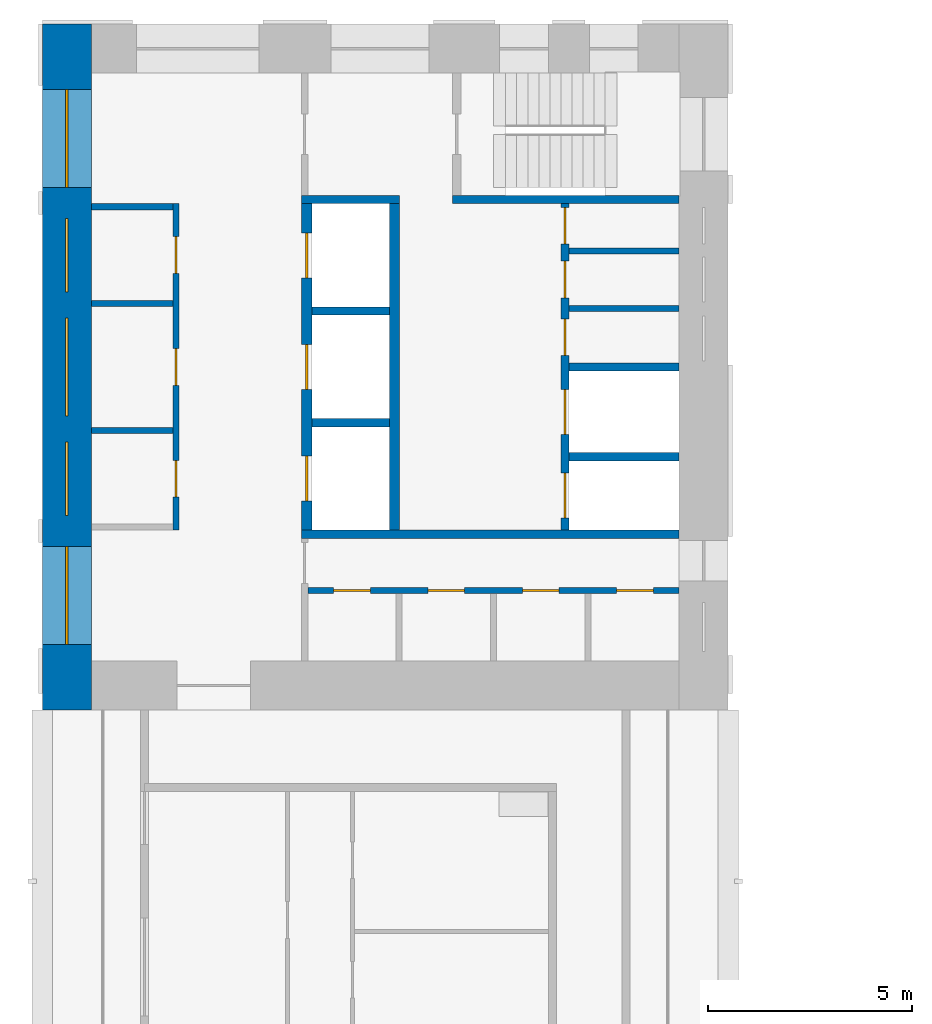
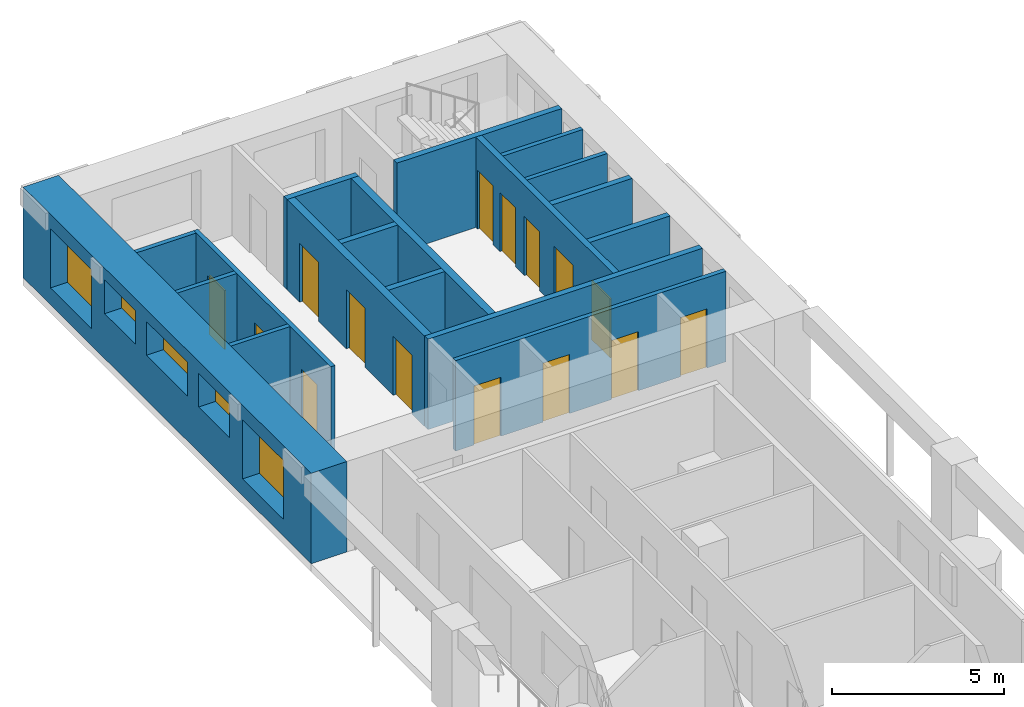
# One storey, part 6 of 13: 18 walls, 15 doors, 5 windows, 20 openings.
"""IFC4 building model written with IfcOpenShell, lengths in metres."""

import ifcopenshell
import ifcopenshell.guid

model = None  # the IFC model being written
_history = None  # IfcOwnerHistory: only IFC2X3 demands one
_inside = {}  # id of a spatial element -> (the spatial element, [elements in it])
_under = {}  # id of a project, library or spatial element -> (it, [spatial elements below it])
_declared = {}  # id of a project -> (the project, [libraries it declares])
_typed = {}  # id of a type object -> (the type object, [elements of that type])
_made_of = {}  # id of a material, layer set ... -> (it, [elements and type objects made of it])


def new_model(schema):
    """Start an empty IFC model of exactly this schema.

    Asked for "IFC4X3", IfcOpenShell would pick the latest addendum, in which some entities
    have other attributes; the version numbers below select the first issue.
    IFC2X3 requires an IfcOwnerHistory on every rooted entity: one is made here for all.
    """
    global model, _history
    if schema == "IFC4X3":
        model = ifcopenshell.file(schema_version=(4, 3, 0, 0))
    else:
        model = ifcopenshell.file(schema=schema)
    _inside.clear()
    _under.clear()
    _declared.clear()
    _typed.clear()
    _made_of.clear()
    _history = None
    if model.schema == "IFC2X3":
        org = make("IfcOrganization", Name="unknown")
        user = make(
            "IfcPersonAndOrganization",
            ThePerson=make("IfcPerson", FamilyName="unknown"),
            TheOrganization=org,
        )
        app = make(
            "IfcApplication",
            ApplicationDeveloper=org,
            Version="unknown",
            ApplicationFullName="unknown",
            ApplicationIdentifier="unknown",
        )
        _history = make(
            "IfcOwnerHistory",
            OwningUser=user,
            OwningApplication=app,
            ChangeAction="ADDED",
            CreationDate=0,
        )
    return model


def make(cls, **values):
    """One entity of the class cls with the attributes given. An attribute that is None is left unset."""
    return model.create_entity(
        cls, **{name: value for name, value in values.items() if value is not None}
    )


def rooted(cls, **values):
    """An entity with a GlobalId (a new one), such as an element, a storey or a relation."""
    return make(cls, GlobalId=ifcopenshell.guid.new(), OwnerHistory=_history, **values)


def si_unit(unit_type, name, prefix=None):
    """IfcSIUnit, for example si_unit("LENGTHUNIT", "METRE", prefix="MILLI")."""
    return make("IfcSIUnit", UnitType=unit_type, Prefix=prefix, Name=name)


def assignment(units):
    """IfcUnitAssignment: the units of a project."""
    return None if units is None else make("IfcUnitAssignment", Units=units)


def point(xyz):
    """IfcCartesianPoint."""
    return None if xyz is None else make("IfcCartesianPoint", Coordinates=xyz)


def direction(xyz):
    """IfcDirection."""
    return None if xyz is None else make("IfcDirection", DirectionRatios=xyz)


def frame(location, z_axis=None, x_axis=None):
    """IfcAxis2Placement3D, a coordinate frame: its origin and axes. An axis left out is left unset."""
    return make(
        "IfcAxis2Placement3D",
        Location=point(location),
        Axis=direction(z_axis),
        RefDirection=direction(x_axis),
    )


def frame_2d(location, x_axis=None):
    """IfcAxis2Placement2D, a coordinate frame in the plane: its origin and x axis."""
    return make(
        "IfcAxis2Placement2D", Location=point(location), RefDirection=direction(x_axis)
    )


def origin():
    """The frame at (0, 0, 0) with its axes left unset."""
    return frame((0.0, 0.0, 0.0))


def place(relative_to, where):
    """IfcLocalPlacement: puts the frame where relative to a parent placement (None: the world)."""
    return make(
        "IfcLocalPlacement", PlacementRelTo=relative_to, RelativePlacement=where
    )


def context(
    kind, dimensions, precision=None, world=None, true_north=None, identifier=None
):
    """IfcGeometricRepresentationContext, for example the 3D "Model" context."""
    return make(
        "IfcGeometricRepresentationContext",
        ContextIdentifier=identifier,
        ContextType=kind,
        CoordinateSpaceDimension=dimensions,
        Precision=precision,
        WorldCoordinateSystem=world,
        TrueNorth=true_north,
    )


def subcontext(parent, identifier, kind, view, scale=None):
    """IfcGeometricRepresentationSubContext, for example "Body" below "Model"."""
    return make(
        "IfcGeometricRepresentationSubContext",
        ContextIdentifier=identifier,
        ContextType=kind,
        ParentContext=parent,
        TargetScale=scale,
        TargetView=view,
    )


def project(units=None, contexts=None):
    """IfcProject with its units and contexts."""
    return rooted(
        "IfcProject",
        Name="project",
        RepresentationContexts=contexts,
        UnitsInContext=assignment(units),
    )


def spatial(cls, under=None, at=None, **own):
    """A site, building, storey or space (cls), placed at a placement, below another one or the project."""
    s = rooted(cls, ObjectPlacement=at, **own)
    if under is not None:
        _under.setdefault(under.id(), (under, []))[1].append(s)
    return s


def profile(cls, at=None, kind="AREA", **sizes):
    """A parametric profile (cls). Its sizes go by their IFC names, for example OverallWidth=200.0."""
    return make(cls, ProfileType=kind, Position=at, **sizes)


def rectangle(**sizes):
    """IfcRectangleProfileDef."""
    return profile("IfcRectangleProfileDef", **sizes)


def extrude(swept, where, along, depth):
    """IfcExtrudedAreaSolid: the profile swept, set in the frame where, extruded along a direction by depth."""
    return make(
        "IfcExtrudedAreaSolid",
        SweptArea=swept,
        Position=where,
        ExtrudedDirection=direction(along),
        Depth=depth,
    )


def shape(context_of_items, identifier, shape_type, items):
    """IfcShapeRepresentation: the items that make up one representation, for example the "Body"."""
    return make(
        "IfcShapeRepresentation",
        ContextOfItems=context_of_items,
        RepresentationIdentifier=identifier,
        RepresentationType=shape_type,
        Items=items,
    )


def material(Name=None, Category=None):
    """IfcMaterial."""
    return make("IfcMaterial", Name=Name, Category=Category)


def layer(
    of_material, thickness, ventilated=None, Name=None, Category=None, Priority=None
):
    """IfcMaterialLayer: one layer of a wall or slab, of a material (None: an air gap)."""
    return make(
        "IfcMaterialLayer",
        Material=of_material,
        LayerThickness=thickness,
        IsVentilated=ventilated,
        Name=Name,
        Category=Category,
        Priority=Priority,
    )


def layer_set(layers, Name=None):
    """IfcMaterialLayerSet."""
    return make("IfcMaterialLayerSet", MaterialLayers=layers, LayerSetName=Name)


def made_of(thing, what):
    """Note that an element or type object is made of a material, layer set ...; save() writes the relation."""
    if what is not None:
        _made_of.setdefault(what.id(), (what, []))[1].append(thing)
    return thing


def type_object(cls, material=None, **own):
    """A type object (cls), such as IfcWallType, which elements share."""
    return made_of(rooted(cls, **own), material)


def element(
    cls,
    number,
    at=None,
    inside=None,
    cuts=None,
    type_object=None,
    material=None,
    context=None,
    identifier="Body",
    shape_type=None,
    held_by="IfcProductDefinitionShape",
    body=None,
    shapes=None,
    **own,
):
    """One element of the class cls, such as IfcWall. Its Tag is "e" and its number.

    at: its placement. inside: the storey or other place that contains it. cuts: it is an
    opening in that element (IfcRelVoidsElement). A single representation is given by context,
    identifier, shape_type and body (its items); several are given by shapes. held_by: the class
    of the entity that holds the representations. save() writes the other relations.
    """
    e = rooted(cls, Tag="e%d" % number, ObjectPlacement=at, **own)
    if body is not None:
        shapes = [shape(context, identifier, shape_type, body)]
    if shapes is not None:
        e.Representation = make(held_by, Representations=shapes)
    if inside is not None:
        _inside.setdefault(inside.id(), (inside, []))[1].append(e)
    if cuts is not None:
        rooted(
            "IfcRelVoidsElement", RelatingBuildingElement=cuts, RelatedOpeningElement=e
        )
    if type_object is not None:
        _typed.setdefault(type_object.id(), (type_object, []))[1].append(e)
    return made_of(e, material)


def fill(opening, filler):
    """IfcRelFillsElement: the door or window that sits in an opening."""
    return rooted(
        "IfcRelFillsElement",
        RelatingOpeningElement=opening,
        RelatedBuildingElement=filler,
    )


def aggregate(whole, parts):
    """IfcRelAggregates: a whole, such as a stair, and the parts it consists of."""
    return rooted("IfcRelAggregates", RelatingObject=whole, RelatedObjects=parts)


def save(model, path):
    """Write the relations noted so far, then the file.

    IfcRelAggregates (storeys below a building ...), IfcRelContainedInSpatialStructure (elements
    in a storey), IfcRelDefinesByType, IfcRelAssociatesMaterial and IfcRelDeclares: one each for
    every whole, place, type object, material and project.
    """
    for whole, parts in _under.values():
        aggregate(whole, parts)
    for where, things in _inside.values():
        rooted(
            "IfcRelContainedInSpatialStructure",
            RelatedElements=things,
            RelatingStructure=where,
        )
    for kind, things in _typed.values():
        rooted("IfcRelDefinesByType", RelatedObjects=things, RelatingType=kind)
    for what, things in _made_of.values():
        rooted("IfcRelAssociatesMaterial", RelatedObjects=things, RelatingMaterial=what)
    for by, libraries in _declared.values():
        rooted("IfcRelDeclares", RelatingContext=by, RelatedDefinitions=libraries)
    model.write(path)


model = new_model("IFC4")

# Units and contexts
model_context = context("Model", 3, precision=1e-05, world=origin(), true_north=direction((0.0, 1.0)))
body_context = subcontext(model_context, "Body", "Model", "MODEL_VIEW")
ifc_project = project(units=[si_unit("LENGTHUNIT", "METRE"), si_unit("AREAUNIT", "SQUARE_METRE"), si_unit("VOLUMEUNIT", "CUBIC_METRE"), si_unit("PLANEANGLEUNIT", "RADIAN"), si_unit("MASSUNIT", "GRAM", prefix="KILO")], contexts=[model_context])

# Site, building, storey
site_placement = place(None, origin())
site = spatial("IfcSite", under=ifc_project, at=site_placement, CompositionType="ELEMENT")
building_placement = place(site_placement, origin())
building = spatial("IfcBuilding", under=site, at=building_placement, Name="Vermilion Gate Residences", CompositionType="ELEMENT")
storey_placement = place(building_placement, frame((0.0, 0.0, 161.699951171875)))
storey = spatial("IfcBuildingStorey", under=building, at=storey_placement, Name="L41", CompositionType="ELEMENT", Elevation=161.699951171875)

# Walls
ifc_material_1 = material(Name="Masonry blockwork", Category="masonry")
ifc_layer_1 = layer(ifc_material_1, 0.14990234375)
ifc_layer_set_1 = layer_set([ifc_layer_1], Name="BLOCKWORK PARTITION 150 EI 120")
wall_type_1 = type_object("IfcWallType", Name="BLOCKWORK PARTITION 150 EI 120", PredefinedType="PARTITIONING", material=ifc_layer_set_1)
for number, where, z_axis, x_axis, name in (
    (1, (9.60009765625, 54.324951171875, 0.0), (0.0, 0.0, 1.0), (1.0, 0.0, 0.0), "Core room partition B41-RW-W"),
    (2, (9.60009765625, 51.955078125, 0.0), (0.0, 0.0, 1.0), (1.0, 0.0, 0.0), "Core room partition B41-SR-P0"),
    (3, (9.60009765625, 48.844970703125, 0.0), (0.0, 0.0, 1.0), (1.0, 0.0, 0.0), "Core room partition B41-SR-P1"),
):
    element("IfcWall", number, at=place(storey_placement, frame(where, z_axis=z_axis, x_axis=x_axis)), inside=storey, type_object=wall_type_1, Name=name, PredefinedType="PARTITIONING", context=body_context, shape_type="SweptSolid", body=[
        extrude(rectangle(XDim=2.0, YDim=0.14990234375, at=frame_2d((1.0, 0.0))), origin(), (0.0, 0.0, 1.0), 3.219970703125),
    ])

# Wall, openings, doors
wall_1_placement = place(storey_placement, frame((11.675048828125, 54.39990234375, 0.0), z_axis=(0.0, 0.0, 1.0), x_axis=(0.0, -1.0, 0.0)))
wall_1 = element("IfcWall", 4, at=wall_1_placement, inside=storey, type_object=wall_type_1, Name="Core room partition B41-LR-F", PredefinedType="PARTITIONING", context=body_context, shape_type="SweptSolid", body=[
    extrude(rectangle(XDim=8.0, YDim=0.14990234375, at=frame_2d((4.0, 0.0))), origin(), (0.0, 0.0, 1.0), 3.219970703125),
])
opening_1_placement = place(wall_1_placement, frame((0.81005859375, 0.0, 0.0)))
opening_1 = element("IfcOpeningElement", 5, at=opening_1_placement, cuts=wall_1, Name="Opening DK41102", PredefinedType="OPENING", context=body_context, shape_type="SweptSolid", body=[
    extrude(rectangle(XDim=0.89990234375, YDim=2.10009765625, at=frame_2d((0.449951171875, 1.050048828125))), frame((0.0, 0.0849609375, 0.0), z_axis=(0.0, -1.0, 0.0), x_axis=(1.0, 0.0, 0.0)), (0.0, 0.0, 1.0), 0.169921875),
])
opening_2_placement = place(wall_1_placement, frame((3.550048828125, 0.0, 0.0)))
opening_2 = element("IfcOpeningElement", 6, at=opening_2_placement, cuts=wall_1, Name="Opening DK41103", PredefinedType="OPENING", context=body_context, shape_type="SweptSolid", body=[
    extrude(rectangle(XDim=0.89990234375, YDim=2.10009765625, at=frame_2d((0.449951171875, 1.050048828125))), frame((0.0, 0.0849609375, 0.0), z_axis=(0.0, -1.0, 0.0), x_axis=(1.0, 0.0, 0.0)), (0.0, 0.0, 1.0), 0.169921875),
])
opening_3_placement = place(wall_1_placement, frame((6.2900390625, 0.0, 0.0)))
opening_3 = element("IfcOpeningElement", 7, at=opening_3_placement, cuts=wall_1, Name="Opening DK41104", PredefinedType="OPENING", context=body_context, shape_type="SweptSolid", body=[
    extrude(rectangle(XDim=0.89990234375, YDim=2.10009765625, at=frame_2d((0.449951171875, 1.050048828125))), frame((0.0, 0.0849609375, 0.0), z_axis=(0.0, -1.0, 0.0), x_axis=(1.0, 0.0, 0.0)), (0.0, 0.0, 1.0), 0.169921875),
])
ifc_material_2 = material(Name="Steel", Category="steel")
door_type_1 = type_object("IfcDoorType", Name="SERVICE ROOM DOOR FD60 900 X 2100", OperationType="SINGLE_SWING_LEFT", PredefinedType="DOOR", material=ifc_material_2)
door_1_placement = place(opening_1_placement, frame((0.89990234375, 0.0, 0.0), z_axis=(0.0, 0.0, 1.0), x_axis=(-1.0, 0.0, 0.0)))
door_1 = element("IfcDoor", 8, at=door_1_placement, inside=storey, type_object=door_type_1, Name="Refuse room B41", OperationType="SINGLE_SWING_LEFT", OverallHeight=2.10009765625, OverallWidth=0.89990234375, PredefinedType="DOOR", context=body_context, shape_type="SweptSolid", body=[
    extrude(rectangle(XDim=0.89990234375, YDim=2.10009765625, at=frame_2d((0.449951171875, 1.050048828125))), frame((0.0, 0.02490234375, 0.0), z_axis=(0.0, -1.0, 0.0), x_axis=(1.0, 0.0, 0.0)), (0.0, 0.0, 1.0), 0.050048828125),
])
fill(opening_1, door_1)
door_2_placement = place(opening_2_placement, frame((0.89990234375, 0.0, 0.0), z_axis=(0.0, 0.0, 1.0), x_axis=(-1.0, 0.0, 0.0)))
door_2 = element("IfcDoor", 9, at=door_2_placement, inside=storey, type_object=door_type_1, Name="Parcel room B41", OperationType="SINGLE_SWING_RIGHT", OverallHeight=2.10009765625, OverallWidth=0.89990234375, PredefinedType="DOOR", context=body_context, shape_type="SweptSolid", body=[
    extrude(rectangle(XDim=0.89990234375, YDim=2.10009765625, at=frame_2d((0.449951171875, 1.050048828125))), frame((0.0, 0.02490234375, 0.0), z_axis=(0.0, -1.0, 0.0), x_axis=(1.0, 0.0, 0.0)), (0.0, 0.0, 1.0), 0.050048828125),
])
fill(opening_2, door_2)
door_3_placement = place(opening_3_placement, frame((0.89990234375, 0.0, 0.0), z_axis=(0.0, 0.0, 1.0), x_axis=(-1.0, 0.0, 0.0)))
door_3 = element("IfcDoor", 10, at=door_3_placement, inside=storey, type_object=door_type_1, Name="Housekeeping store B41", OperationType="SINGLE_SWING_RIGHT", OverallHeight=2.10009765625, OverallWidth=0.89990234375, PredefinedType="DOOR", context=body_context, shape_type="SweptSolid", body=[
    extrude(rectangle(XDim=0.89990234375, YDim=2.10009765625, at=frame_2d((0.449951171875, 1.050048828125))), frame((0.0, 0.02490234375, 0.0), z_axis=(0.0, -1.0, 0.0), x_axis=(1.0, 0.0, 0.0)), (0.0, 0.0, 1.0), 0.050048828125),
])
fill(opening_3, door_3)

# Walls
for number, where, z_axis, x_axis, name in (
    (11, (21.300048828125, 53.2451171875, 0.0), (0.0, 0.0, 1.0), (1.0, 0.0, 0.0), "Core room partition B41-NR-P0"),
    (12, (21.300048828125, 51.8349609375, 0.0), (0.0, 0.0, 1.0), (1.0, 0.0, 0.0), "Core room partition B41-NR-P1"),
):
    element("IfcWall", number, at=place(storey_placement, frame(where, z_axis=z_axis, x_axis=x_axis)), inside=storey, type_object=wall_type_1, Name=name, PredefinedType="PARTITIONING", context=body_context, shape_type="SweptSolid", body=[
        extrude(rectangle(XDim=2.699951171875, YDim=0.14990234375, at=frame_2d((1.35009765625, 0.0))), origin(), (0.0, 0.0, 1.0), 3.219970703125),
    ])

# Wall, openings, doors
wall_2_placement = place(storey_placement, frame((14.89990234375, 44.925048828125, 0.0), z_axis=(0.0, 0.0, 1.0), x_axis=(1.0, 0.0, 0.0)))
wall_2 = element("IfcWall", 13, at=wall_2_placement, inside=storey, type_object=wall_type_1, Name="Core room partition B41-ES-W", PredefinedType="PARTITIONING", context=body_context, shape_type="SweptSolid", body=[
    extrude(rectangle(XDim=9.10009765625, YDim=0.14990234375, at=frame_2d((4.550048828125, 0.0))), origin(), (0.0, 0.0, 1.0), 3.219970703125),
])
opening_4_placement = place(wall_2_placement, frame((0.63134765625, 0.0, 0.0)))
opening_4 = element("IfcOpeningElement", 14, at=opening_4_placement, cuts=wall_2, Name="Opening DK41116", PredefinedType="OPENING", context=body_context, shape_type="SweptSolid", body=[
    extrude(rectangle(XDim=0.89990234375, YDim=2.10009765625, at=frame_2d((0.449951171875, 1.050048828125))), frame((0.0, 0.0849609375, 0.0), z_axis=(0.0, -1.0, 0.0), x_axis=(1.0, 0.0, 0.0)), (0.0, 0.0, 1.0), 0.169921875),
])
opening_5_placement = place(wall_2_placement, frame((2.94384765625, 0.0, 0.0)))
opening_5 = element("IfcOpeningElement", 15, at=opening_5_placement, cuts=wall_2, Name="Opening DK41117", PredefinedType="OPENING", context=body_context, shape_type="SweptSolid", body=[
    extrude(rectangle(XDim=0.89990234375, YDim=2.10009765625, at=frame_2d((0.449951171875, 1.050048828125))), frame((0.0, 0.0849609375, 0.0), z_axis=(0.0, -1.0, 0.0), x_axis=(1.0, 0.0, 0.0)), (0.0, 0.0, 1.0), 0.169921875),
])
opening_6_placement = place(wall_2_placement, frame((5.25634765625, 0.0, 0.0)))
opening_6 = element("IfcOpeningElement", 16, at=opening_6_placement, cuts=wall_2, Name="Opening DK41118", PredefinedType="OPENING", context=body_context, shape_type="SweptSolid", body=[
    extrude(rectangle(XDim=0.89990234375, YDim=2.10009765625, at=frame_2d((0.449951171875, 1.050048828125))), frame((0.0, 0.0849609375, 0.0), z_axis=(0.0, -1.0, 0.0), x_axis=(1.0, 0.0, 0.0)), (0.0, 0.0, 1.0), 0.169921875),
])
opening_7_placement = place(wall_2_placement, frame((7.56884765625, 0.0, 0.0)))
opening_7 = element("IfcOpeningElement", 17, at=opening_7_placement, cuts=wall_2, Name="Opening DK41119", PredefinedType="OPENING", context=body_context, shape_type="SweptSolid", body=[
    extrude(rectangle(XDim=0.89990234375, YDim=2.10009765625, at=frame_2d((0.449951171875, 1.050048828125))), frame((0.0, 0.0849609375, 0.0), z_axis=(0.0, -1.0, 0.0), x_axis=(1.0, 0.0, 0.0)), (0.0, 0.0, 1.0), 0.169921875),
])
door_4_placement = place(opening_4_placement, frame((0.89990234375, 0.0, 0.0), z_axis=(0.0, 0.0, 1.0), x_axis=(-1.0, 0.0, 0.0)))
door_4 = element("IfcDoor", 18, at=door_4_placement, inside=storey, type_object=door_type_1, Name="Parcel room B41", OperationType="SINGLE_SWING_RIGHT", OverallHeight=2.10009765625, OverallWidth=0.89990234375, PredefinedType="DOOR", context=body_context, shape_type="SweptSolid", body=[
    extrude(rectangle(XDim=0.89990234375, YDim=2.10009765625, at=frame_2d((0.449951171875, 1.050048828125))), frame((0.0, 0.02490234375, 0.0), z_axis=(0.0, -1.0, 0.0), x_axis=(1.0, 0.0, 0.0)), (0.0, 0.0, 1.0), 0.050048828125),
])
fill(opening_4, door_4)
door_5_placement = place(opening_5_placement, frame((0.89990234375, 0.0, 0.0), z_axis=(0.0, 0.0, 1.0), x_axis=(-1.0, 0.0, 0.0)))
door_5 = element("IfcDoor", 19, at=door_5_placement, inside=storey, type_object=door_type_1, Name="Cleaner's store B41", OperationType="SINGLE_SWING_RIGHT", OverallHeight=2.10009765625, OverallWidth=0.89990234375, PredefinedType="DOOR", context=body_context, shape_type="SweptSolid", body=[
    extrude(rectangle(XDim=0.89990234375, YDim=2.10009765625, at=frame_2d((0.449951171875, 1.050048828125))), frame((0.0, 0.02490234375, 0.0), z_axis=(0.0, -1.0, 0.0), x_axis=(1.0, 0.0, 0.0)), (0.0, 0.0, 1.0), 0.050048828125),
])
fill(opening_5, door_5)
door_6_placement = place(opening_6_placement, frame((0.89990234375, 0.0, 0.0), z_axis=(0.0, 0.0, 1.0), x_axis=(-1.0, 0.0, 0.0)))
door_6 = element("IfcDoor", 20, at=door_6_placement, inside=storey, type_object=door_type_1, Name="Electrical room B41", OperationType="SINGLE_SWING_RIGHT", OverallHeight=2.10009765625, OverallWidth=0.89990234375, PredefinedType="DOOR", context=body_context, shape_type="SweptSolid", body=[
    extrude(rectangle(XDim=0.89990234375, YDim=2.10009765625, at=frame_2d((0.449951171875, 1.050048828125))), frame((0.0, 0.02490234375, 0.0), z_axis=(0.0, -1.0, 0.0), x_axis=(1.0, 0.0, 0.0)), (0.0, 0.0, 1.0), 0.050048828125),
])
fill(opening_6, door_6)
door_7_placement = place(opening_7_placement, frame((0.89990234375, 0.0, 0.0), z_axis=(0.0, 0.0, 1.0), x_axis=(-1.0, 0.0, 0.0)))
door_7 = element("IfcDoor", 21, at=door_7_placement, inside=storey, type_object=door_type_1, Name="Storage room B41", OperationType="SINGLE_SWING_RIGHT", OverallHeight=2.10009765625, OverallWidth=0.89990234375, PredefinedType="DOOR", context=body_context, shape_type="SweptSolid", body=[
    extrude(rectangle(XDim=0.89990234375, YDim=2.10009765625, at=frame_2d((0.449951171875, 1.050048828125))), frame((0.0, 0.02490234375, 0.0), z_axis=(0.0, -1.0, 0.0), x_axis=(1.0, 0.0, 0.0)), (0.0, 0.0, 1.0), 0.050048828125),
])
fill(opening_7, door_7)

# Walls
ifc_material_3 = material(Name="Concrete C60", Category="concrete")
ifc_layer_2 = layer(ifc_material_3, 0.199951171875)
ifc_layer_set_2 = layer_set([ifc_layer_2], Name="RC CORE INTERNAL WALL 200 C60")
wall_type_2 = type_object("IfcWallType", Name="RC CORE INTERNAL WALL 200 C60", PredefinedType="SHEAR", material=ifc_layer_set_2)
for number, where, z_axis, x_axis, name in (
    (22, (15.0, 51.7666015625, 0.0), (0.0, 0.0, 1.0), (1.0, 0.0, 0.0), "Core internal wall B41-HR-D1"),
    (23, (15.0, 49.033447265625, 0.0), (0.0, 0.0, 1.0), (1.0, 0.0, 0.0), "Core internal wall B41-HR-D2"),
):
    element("IfcWall", number, at=place(storey_placement, frame(where, z_axis=z_axis, x_axis=x_axis)), inside=storey, type_object=wall_type_2, Name=name, PredefinedType="SHEAR", context=body_context, shape_type="SweptSolid", body=[
        extrude(rectangle(XDim=1.89990234375, YDim=0.199951171875, at=frame_2d((0.949951171875, 0.0))), origin(), (0.0, 0.0, 1.0), 3.219970703125),
    ])
for number, where, z_axis, x_axis, name in (
    (24, (21.300048828125, 50.39990234375, 0.0), (0.0, 0.0, 1.0), (1.0, 0.0, 0.0), "Core internal wall B41-FF-D0"),
    (25, (21.300048828125, 48.199951171875, 0.0), (0.0, 0.0, 1.0), (1.0, 0.0, 0.0), "Core internal wall B41-FF-D1"),
):
    element("IfcWall", number, at=place(storey_placement, frame(where, z_axis=z_axis, x_axis=x_axis)), inside=storey, type_object=wall_type_2, Name=name, PredefinedType="SHEAR", context=body_context, shape_type="SweptSolid", body=[
        extrude(rectangle(XDim=2.699951171875, YDim=0.199951171875, at=frame_2d((1.35009765625, 0.0))), origin(), (0.0, 0.0, 1.0), 3.219970703125),
    ])

# Wall, openings, doors
wall_3_placement = place(storey_placement, frame((21.199951171875, 54.39990234375, 0.0), z_axis=(0.0, 0.0, 1.0), x_axis=(0.0, -1.0, 0.0)))
wall_3 = element("IfcWall", 26, at=wall_3_placement, inside=storey, type_object=wall_type_2, Name="Core internal wall B41-FF-F", PredefinedType="SHEAR", context=body_context, shape_type="SweptSolid", body=[
    extrude(rectangle(XDim=8.0, YDim=0.199951171875, at=frame_2d((4.0, 0.0))), origin(), (0.0, 0.0, 1.0), 3.219970703125),
])
opening_8_placement = place(wall_3_placement, frame((0.090087890625, 0.0, 0.0)))
opening_8 = element("IfcOpeningElement", 27, at=opening_8_placement, cuts=wall_3, Name="Opening DK41108", PredefinedType="OPENING", context=body_context, shape_type="SweptSolid", body=[
    extrude(rectangle(XDim=0.89990234375, YDim=2.10009765625, at=frame_2d((0.449951171875, 1.050048828125))), frame((0.0, 0.10986328125, 0.0), z_axis=(0.0, -1.0, 0.0), x_axis=(1.0, 0.0, 0.0)), (0.0, 0.0, 1.0), 0.219970703125),
])
opening_9_placement = place(wall_3_placement, frame((1.409912109375, 0.0, 0.0)))
opening_9 = element("IfcOpeningElement", 28, at=opening_9_placement, cuts=wall_3, Name="Opening DK41109", PredefinedType="OPENING", context=body_context, shape_type="SweptSolid", body=[
    extrude(rectangle(XDim=0.89990234375, YDim=2.10009765625, at=frame_2d((0.449951171875, 1.050048828125))), frame((0.0, 0.10986328125, 0.0), z_axis=(0.0, -1.0, 0.0), x_axis=(1.0, 0.0, 0.0)), (0.0, 0.0, 1.0), 0.219970703125),
])
opening_10_placement = place(wall_3_placement, frame((2.820068359375, 0.0, 0.0)))
opening_10 = element("IfcOpeningElement", 29, at=opening_10_placement, cuts=wall_3, Name="Opening DK41110", PredefinedType="OPENING", context=body_context, shape_type="SweptSolid", body=[
    extrude(rectangle(XDim=0.89990234375, YDim=2.10009765625, at=frame_2d((0.449951171875, 1.050048828125))), frame((0.0, 0.10986328125, 0.0), z_axis=(0.0, -1.0, 0.0), x_axis=(1.0, 0.0, 0.0)), (0.0, 0.0, 1.0), 0.219970703125),
])
opening_11_placement = place(wall_3_placement, frame((4.550048828125, 0.0, 0.0)))
opening_11 = element("IfcOpeningElement", 30, at=opening_11_placement, cuts=wall_3, Name="Opening LD", PredefinedType="OPENING", context=body_context, shape_type="SweptSolid", body=[
    extrude(rectangle(XDim=1.10009765625, YDim=2.10009765625, at=frame_2d((0.550048828125, 1.050048828125))), frame((0.0, 0.10986328125, 0.0), z_axis=(0.0, -1.0, 0.0), x_axis=(1.0, 0.0, 0.0)), (0.0, 0.0, 1.0), 0.219970703125),
])
opening_12_placement = place(wall_3_placement, frame((6.60009765625, 0.0, 0.0)))
opening_12 = element("IfcOpeningElement", 31, at=opening_12_placement, cuts=wall_3, Name="Opening LD", PredefinedType="OPENING", context=body_context, shape_type="SweptSolid", body=[
    extrude(rectangle(XDim=1.10009765625, YDim=2.10009765625, at=frame_2d((0.550048828125, 1.050048828125))), frame((0.0, 0.10986328125, 0.0), z_axis=(0.0, -1.0, 0.0), x_axis=(1.0, 0.0, 0.0)), (0.0, 0.0, 1.0), 0.219970703125),
])
ifc_material_4 = material(Name="Stainless steel", Category="steel")
door_type_2 = type_object("IfcDoorType", Name="LIFT LANDING DOOR E60 1100 X 2100", OperationType="DOUBLE_DOOR_SLIDING", PredefinedType="DOOR", material=ifc_material_4)
door_8_placement = place(opening_11_placement, origin())
door_8 = element("IfcDoor", 32, at=door_8_placement, inside=storey, type_object=door_type_2, Name="Lift landing door LFB1", OperationType="DOUBLE_DOOR_SLIDING", OverallHeight=2.10009765625, OverallWidth=1.10009765625, PredefinedType="DOOR", context=body_context, shape_type="SweptSolid", body=[
    extrude(rectangle(XDim=1.10009765625, YDim=2.10009765625, at=frame_2d((0.550048828125, 1.050048828125))), frame((0.0, 0.02490234375, 0.0), z_axis=(0.0, -1.0, 0.0), x_axis=(1.0, 0.0, 0.0)), (0.0, 0.0, 1.0), 0.050048828125),
])
fill(opening_11, door_8)
door_9_placement = place(opening_12_placement, origin())
door_9 = element("IfcDoor", 33, at=door_9_placement, inside=storey, type_object=door_type_2, Name="Lift landing door LCB1", OperationType="DOUBLE_DOOR_SLIDING", OverallHeight=2.10009765625, OverallWidth=1.10009765625, PredefinedType="DOOR", context=body_context, shape_type="SweptSolid", body=[
    extrude(rectangle(XDim=1.10009765625, YDim=2.10009765625, at=frame_2d((0.550048828125, 1.050048828125))), frame((0.0, 0.02490234375, 0.0), z_axis=(0.0, -1.0, 0.0), x_axis=(1.0, 0.0, 0.0)), (0.0, 0.0, 1.0), 0.050048828125),
])
fill(opening_12, door_9)
door_10_placement = place(opening_8_placement, origin())
door_10 = element("IfcDoor", 34, at=door_10_placement, inside=storey, type_object=door_type_1, Name="Communications riser B41", OperationType="SINGLE_SWING_RIGHT", OverallHeight=2.10009765625, OverallWidth=0.89990234375, PredefinedType="DOOR", context=body_context, shape_type="SweptSolid", body=[
    extrude(rectangle(XDim=0.89990234375, YDim=2.10009765625, at=frame_2d((0.449951171875, 1.050048828125))), frame((0.0, 0.02490234375, 0.0), z_axis=(0.0, -1.0, 0.0), x_axis=(1.0, 0.0, 0.0)), (0.0, 0.0, 1.0), 0.050048828125),
])
fill(opening_8, door_10)
door_11_placement = place(opening_9_placement, origin())
door_11 = element("IfcDoor", 35, at=door_11_placement, inside=storey, type_object=door_type_1, Name="Refuse room B41", OperationType="SINGLE_SWING_LEFT", OverallHeight=2.10009765625, OverallWidth=0.89990234375, PredefinedType="DOOR", context=body_context, shape_type="SweptSolid", body=[
    extrude(rectangle(XDim=0.89990234375, YDim=2.10009765625, at=frame_2d((0.449951171875, 1.050048828125))), frame((0.0, 0.02490234375, 0.0), z_axis=(0.0, -1.0, 0.0), x_axis=(1.0, 0.0, 0.0)), (0.0, 0.0, 1.0), 0.050048828125),
])
fill(opening_9, door_11)
door_12_placement = place(opening_10_placement, origin())
door_12 = element("IfcDoor", 36, at=door_12_placement, inside=storey, type_object=door_type_1, Name="Parcel room B41", OperationType="SINGLE_SWING_LEFT", OverallHeight=2.10009765625, OverallWidth=0.89990234375, PredefinedType="DOOR", context=body_context, shape_type="SweptSolid", body=[
    extrude(rectangle(XDim=0.89990234375, YDim=2.10009765625, at=frame_2d((0.449951171875, 1.050048828125))), frame((0.0, 0.02490234375, 0.0), z_axis=(0.0, -1.0, 0.0), x_axis=(1.0, 0.0, 0.0)), (0.0, 0.0, 1.0), 0.050048828125),
])
fill(opening_10, door_12)

# Walls
wall_4_placement = place(storey_placement, frame((14.75, 54.5, 0.0), z_axis=(0.0, 0.0, 1.0), x_axis=(1.0, 0.0, 0.0)))
element("IfcWall", 37, at=wall_4_placement, inside=storey, type_object=wall_type_2, Name="Core internal wall B41-WDIV1", PredefinedType="SHEAR", context=body_context, shape_type="SweptSolid", body=[
    extrude(rectangle(XDim=2.39990234375, YDim=0.199951171875, at=frame_2d((1.199951171875, 0.0))), origin(), (0.0, 0.0, 1.0), 3.219970703125),
])
wall_5_placement = place(storey_placement, frame((18.449951171875, 54.5, 0.0), z_axis=(0.0, 0.0, 1.0), x_axis=(1.0, 0.0, 0.0)))
element("IfcWall", 38, at=wall_5_placement, inside=storey, type_object=wall_type_2, Name="Core internal wall B41-WDIV2", PredefinedType="SHEAR", context=body_context, shape_type="SweptSolid", body=[
    extrude(rectangle(XDim=5.550048828125, YDim=0.199951171875, at=frame_2d((2.77490234375, 0.0))), origin(), (0.0, 0.0, 1.0), 3.219970703125),
])
wall_6_placement = place(storey_placement, frame((14.75, 46.300048828125, 0.0), z_axis=(0.0, 0.0, 1.0), x_axis=(1.0, 0.0, 0.0)))
element("IfcWall", 39, at=wall_6_placement, inside=storey, type_object=wall_type_2, Name="Core internal wall B41-EDIV", PredefinedType="SHEAR", context=body_context, shape_type="SweptSolid", body=[
    extrude(rectangle(XDim=9.25, YDim=0.199951171875, at=frame_2d((4.625, 0.0))), origin(), (0.0, 0.0, 1.0), 3.219970703125),
])

# Wall, openings, windows
ifc_material_5 = material(Name="Concrete C60 red-oxide pigmented", Category="concrete")
ifc_layer_3 = layer(ifc_material_5, 1.199951171875)
ifc_layer_set_3 = layer_set([ifc_layer_3], Name="RC CORE WALL 1200 C60 RED OXIDE")
wall_type_3 = type_object("IfcWallType", Name="RC CORE WALL 1200 C60 RED OXIDE", PredefinedType="SHEAR", material=ifc_layer_set_3)
wall_7_placement = place(storey_placement, frame((9.0, 58.800048828125, 0.0), z_axis=(0.0, 0.0, 1.0), x_axis=(0.0, -1.0, 0.0)))
wall_7 = element("IfcWall", 40, at=wall_7_placement, inside=storey, type_object=wall_type_3, Name="Core wall B41-OUT-B0", PredefinedType="SHEAR", context=body_context, shape_type="SweptSolid", body=[
    extrude(rectangle(XDim=16.800048828125, YDim=1.199951171875, at=frame_2d((8.39990234375, 0.0))), origin(), (0.0, 0.0, 1.0), 3.219970703125),
])
opening_13_placement = place(wall_7_placement, frame((1.60009765625, 0.0, 0.60009765625)))
opening_13 = element("IfcOpeningElement", 41, at=opening_13_placement, cuts=wall_7, Name="Opening WKB4101", PredefinedType="OPENING", context=body_context, shape_type="SweptSolid", body=[
    extrude(rectangle(XDim=2.39990234375, YDim=2.10009765625, at=frame_2d((1.199951171875, 1.050048828125))), frame((0.0, 0.60986328125, 0.0), z_axis=(0.0, -1.0, 0.0), x_axis=(1.0, 0.0, 0.0)), (0.0, 0.0, 1.0), 1.219970703125),
])
opening_14_placement = place(wall_7_placement, frame((4.760009765625, 0.0, 1.60009765625)))
opening_14 = element("IfcOpeningElement", 42, at=opening_14_placement, cuts=wall_7, Name="Opening WKB4102", PredefinedType="OPENING", context=body_context, shape_type="SweptSolid", body=[
    extrude(rectangle(XDim=1.800048828125, YDim=1.199951171875, at=frame_2d((0.89990234375, 0.60009765625))), frame((0.0, 0.60986328125, 0.0), z_axis=(0.0, -1.0, 0.0), x_axis=(1.0, 0.0, 0.0)), (0.0, 0.0, 1.0), 1.219970703125),
])
opening_15_placement = place(wall_7_placement, frame((7.199951171875, 0.0, 1.60009765625)))
opening_15 = element("IfcOpeningElement", 43, at=opening_15_placement, cuts=wall_7, Name="Opening WKB4103", PredefinedType="OPENING", context=body_context, shape_type="SweptSolid", body=[
    extrude(rectangle(XDim=2.39990234375, YDim=1.199951171875, at=frame_2d((1.199951171875, 0.60009765625))), frame((0.0, 0.60986328125, 0.0), z_axis=(0.0, -1.0, 0.0), x_axis=(1.0, 0.0, 0.0)), (0.0, 0.0, 1.0), 1.219970703125),
])
opening_16_placement = place(wall_7_placement, frame((10.239990234375, 0.0, 1.60009765625)))
opening_16 = element("IfcOpeningElement", 44, at=opening_16_placement, cuts=wall_7, Name="Opening WKB4104", PredefinedType="OPENING", context=body_context, shape_type="SweptSolid", body=[
    extrude(rectangle(XDim=1.800048828125, YDim=1.199951171875, at=frame_2d((0.89990234375, 0.60009765625))), frame((0.0, 0.60986328125, 0.0), z_axis=(0.0, -1.0, 0.0), x_axis=(1.0, 0.0, 0.0)), (0.0, 0.0, 1.0), 1.219970703125),
])
opening_17_placement = place(wall_7_placement, frame((12.800048828125, 0.0, 0.60009765625)))
opening_17 = element("IfcOpeningElement", 45, at=opening_17_placement, cuts=wall_7, Name="Opening WKB4105", PredefinedType="OPENING", context=body_context, shape_type="SweptSolid", body=[
    extrude(rectangle(XDim=2.39990234375, YDim=2.10009765625, at=frame_2d((1.199951171875, 1.050048828125))), frame((0.0, 0.60986328125, 0.0), z_axis=(0.0, -1.0, 0.0), x_axis=(1.0, 0.0, 0.0)), (0.0, 0.0, 1.0), 1.219970703125),
])
ifc_material_6 = material(Name="Aluminium and clear glass", Category="aluminium")
window_type_1 = type_object("IfcWindowType", Name="CORE LOBBY WINDOW 2400 X 2100", PartitioningType="SINGLE_PANEL", PredefinedType="WINDOW", material=ifc_material_6)
window_1_placement = place(opening_13_placement, origin())
window_1 = element("IfcWindow", 46, at=window_1_placement, inside=storey, type_object=window_type_1, Name="Core lobby window", OverallHeight=2.10009765625, OverallWidth=2.39990234375, PartitioningType="SINGLE_PANEL", PredefinedType="WINDOW", context=body_context, shape_type="SweptSolid", body=[
    extrude(rectangle(XDim=2.39990234375, YDim=2.10009765625, at=frame_2d((1.199951171875, 1.050048828125))), frame((0.0, 0.030029296875, 0.0), z_axis=(0.0, -1.0, 0.0), x_axis=(1.0, 0.0, 0.0)), (0.0, 0.0, 1.0), 0.06005859375),
])
fill(opening_13, window_1)
window_2_placement = place(opening_17_placement, origin())
window_2 = element("IfcWindow", 47, at=window_2_placement, inside=storey, type_object=window_type_1, Name="Core lobby window", OverallHeight=2.10009765625, OverallWidth=2.39990234375, PartitioningType="SINGLE_PANEL", PredefinedType="WINDOW", context=body_context, shape_type="SweptSolid", body=[
    extrude(rectangle(XDim=2.39990234375, YDim=2.10009765625, at=frame_2d((1.199951171875, 1.050048828125))), frame((0.0, 0.030029296875, 0.0), z_axis=(0.0, -1.0, 0.0), x_axis=(1.0, 0.0, 0.0)), (0.0, 0.0, 1.0), 0.06005859375),
])
fill(opening_17, window_2)
ifc_material_7 = material(Name="Aluminium frame with louvre blades", Category="aluminium")
window_type_2 = type_object("IfcWindowType", Name="CORE LOUVRE 1800 X 1200", PartitioningType="SINGLE_PANEL", PredefinedType="WINDOW", material=ifc_material_7)
window_3_placement = place(opening_14_placement, origin())
window_3 = element("IfcWindow", 48, at=window_3_placement, inside=storey, type_object=window_type_2, Name="Core louvre", OverallHeight=1.199951171875, OverallWidth=1.800048828125, PartitioningType="SINGLE_PANEL", PredefinedType="WINDOW", context=body_context, shape_type="SweptSolid", body=[
    extrude(rectangle(XDim=1.800048828125, YDim=1.199951171875, at=frame_2d((0.89990234375, 0.60009765625))), frame((0.0, 0.030029296875, 0.0), z_axis=(0.0, -1.0, 0.0), x_axis=(1.0, 0.0, 0.0)), (0.0, 0.0, 1.0), 0.06005859375),
])
fill(opening_14, window_3)
window_4_placement = place(opening_16_placement, origin())
window_4 = element("IfcWindow", 49, at=window_4_placement, inside=storey, type_object=window_type_2, Name="Core louvre", OverallHeight=1.199951171875, OverallWidth=1.800048828125, PartitioningType="SINGLE_PANEL", PredefinedType="WINDOW", context=body_context, shape_type="SweptSolid", body=[
    extrude(rectangle(XDim=1.800048828125, YDim=1.199951171875, at=frame_2d((0.89990234375, 0.60009765625))), frame((0.0, 0.030029296875, 0.0), z_axis=(0.0, -1.0, 0.0), x_axis=(1.0, 0.0, 0.0)), (0.0, 0.0, 1.0), 0.06005859375),
])
fill(opening_16, window_4)
ifc_material_8 = material(Name="Aluminium frame with louvre blades", Category="aluminium")
window_type_3 = type_object("IfcWindowType", Name="CORE LOUVRE 2400 X 1200", PartitioningType="SINGLE_PANEL", PredefinedType="WINDOW", material=ifc_material_8)
window_5_placement = place(opening_15_placement, origin())
window_5 = element("IfcWindow", 50, at=window_5_placement, inside=storey, type_object=window_type_3, Name="Core louvre", OverallHeight=1.199951171875, OverallWidth=2.39990234375, PartitioningType="SINGLE_PANEL", PredefinedType="WINDOW", context=body_context, shape_type="SweptSolid", body=[
    extrude(rectangle(XDim=2.39990234375, YDim=1.199951171875, at=frame_2d((1.199951171875, 0.60009765625))), frame((0.0, 0.030029296875, 0.0), z_axis=(0.0, -1.0, 0.0), x_axis=(1.0, 0.0, 0.0)), (0.0, 0.0, 1.0), 0.06005859375),
])
fill(opening_15, window_5)

# Wall, openings, doors
ifc_material_9 = material(Name="Concrete C60", Category="concrete")
ifc_layer_4 = layer(ifc_material_9, 0.25)
ifc_layer_set_4 = layer_set([ifc_layer_4], Name="RC LIFT SHAFT WALL 250 C60")
wall_type_4 = type_object("IfcWallType", Name="RC LIFT SHAFT WALL 250 C60", PredefinedType="SHEAR", material=ifc_layer_set_4)
wall_8_placement = place(storey_placement, frame((14.875, 54.39990234375, 0.0), z_axis=(0.0, 0.0, 1.0), x_axis=(0.0, -1.0, 0.0)))
wall_8 = element("IfcWall", 51, at=wall_8_placement, inside=storey, type_object=wall_type_4, Name="Lift shaft wall B41-HR-F", PredefinedType="SHEAR", context=body_context, shape_type="SweptSolid", body=[
    extrude(rectangle(XDim=8.0, YDim=0.25, at=frame_2d((4.0, 0.0))), origin(), (0.0, 0.0, 1.0), 3.219970703125),
])
opening_18_placement = place(wall_8_placement, frame((0.716552734375, 0.0, 0.0)))
opening_18 = element("IfcOpeningElement", 52, at=opening_18_placement, cuts=wall_8, Name="Opening LD", PredefinedType="OPENING", context=body_context, shape_type="SweptSolid", body=[
    extrude(rectangle(XDim=1.10009765625, YDim=2.10009765625, at=frame_2d((0.550048828125, 1.050048828125))), frame((0.0, 0.135009765625, 0.0), z_axis=(0.0, -1.0, 0.0), x_axis=(1.0, 0.0, 0.0)), (0.0, 0.0, 1.0), 0.27001953125),
])
opening_19_placement = place(wall_8_placement, frame((3.449951171875, 0.0, 0.0)))
opening_19 = element("IfcOpeningElement", 53, at=opening_19_placement, cuts=wall_8, Name="Opening LD", PredefinedType="OPENING", context=body_context, shape_type="SweptSolid", body=[
    extrude(rectangle(XDim=1.10009765625, YDim=2.10009765625, at=frame_2d((0.550048828125, 1.050048828125))), frame((0.0, 0.135009765625, 0.0), z_axis=(0.0, -1.0, 0.0), x_axis=(1.0, 0.0, 0.0)), (0.0, 0.0, 1.0), 0.27001953125),
])
opening_20_placement = place(wall_8_placement, frame((6.183349609375, 0.0, 0.0)))
opening_20 = element("IfcOpeningElement", 54, at=opening_20_placement, cuts=wall_8, Name="Opening LD", PredefinedType="OPENING", context=body_context, shape_type="SweptSolid", body=[
    extrude(rectangle(XDim=1.10009765625, YDim=2.10009765625, at=frame_2d((0.550048828125, 1.050048828125))), frame((0.0, 0.135009765625, 0.0), z_axis=(0.0, -1.0, 0.0), x_axis=(1.0, 0.0, 0.0)), (0.0, 0.0, 1.0), 0.27001953125),
])
door_13_placement = place(opening_18_placement, origin())
door_13 = element("IfcDoor", 55, at=door_13_placement, inside=storey, type_object=door_type_2, Name="Lift landing door HRB1", OperationType="DOUBLE_DOOR_SLIDING", OverallHeight=2.10009765625, OverallWidth=1.10009765625, PredefinedType="DOOR", context=body_context, shape_type="SweptSolid", body=[
    extrude(rectangle(XDim=1.10009765625, YDim=2.10009765625, at=frame_2d((0.550048828125, 1.050048828125))), frame((0.0, 0.02490234375, 0.0), z_axis=(0.0, -1.0, 0.0), x_axis=(1.0, 0.0, 0.0)), (0.0, 0.0, 1.0), 0.050048828125),
])
fill(opening_18, door_13)
door_14_placement = place(opening_19_placement, origin())
door_14 = element("IfcDoor", 56, at=door_14_placement, inside=storey, type_object=door_type_2, Name="Lift landing door HRB2", OperationType="DOUBLE_DOOR_SLIDING", OverallHeight=2.10009765625, OverallWidth=1.10009765625, PredefinedType="DOOR", context=body_context, shape_type="SweptSolid", body=[
    extrude(rectangle(XDim=1.10009765625, YDim=2.10009765625, at=frame_2d((0.550048828125, 1.050048828125))), frame((0.0, 0.02490234375, 0.0), z_axis=(0.0, -1.0, 0.0), x_axis=(1.0, 0.0, 0.0)), (0.0, 0.0, 1.0), 0.050048828125),
])
fill(opening_19, door_14)
door_15_placement = place(opening_20_placement, origin())
door_15 = element("IfcDoor", 57, at=door_15_placement, inside=storey, type_object=door_type_2, Name="Lift landing door HRB3", OperationType="DOUBLE_DOOR_SLIDING", OverallHeight=2.10009765625, OverallWidth=1.10009765625, PredefinedType="DOOR", context=body_context, shape_type="SweptSolid", body=[
    extrude(rectangle(XDim=1.10009765625, YDim=2.10009765625, at=frame_2d((0.550048828125, 1.050048828125))), frame((0.0, 0.02490234375, 0.0), z_axis=(0.0, -1.0, 0.0), x_axis=(1.0, 0.0, 0.0)), (0.0, 0.0, 1.0), 0.050048828125),
])
fill(opening_20, door_15)

# Wall
wall_9_placement = place(storey_placement, frame((17.02490234375, 54.39990234375, 0.0), z_axis=(0.0, 0.0, 1.0), x_axis=(0.0, -1.0, 0.0)))
element("IfcWall", 58, at=wall_9_placement, inside=storey, type_object=wall_type_4, Name="Lift shaft wall B41-HR-B", PredefinedType="SHEAR", context=body_context, shape_type="SweptSolid", body=[
    extrude(rectangle(XDim=8.0, YDim=0.25, at=frame_2d((4.0, 0.0))), origin(), (0.0, 0.0, 1.0), 3.219970703125),
])

save(model, "model.ifc")
